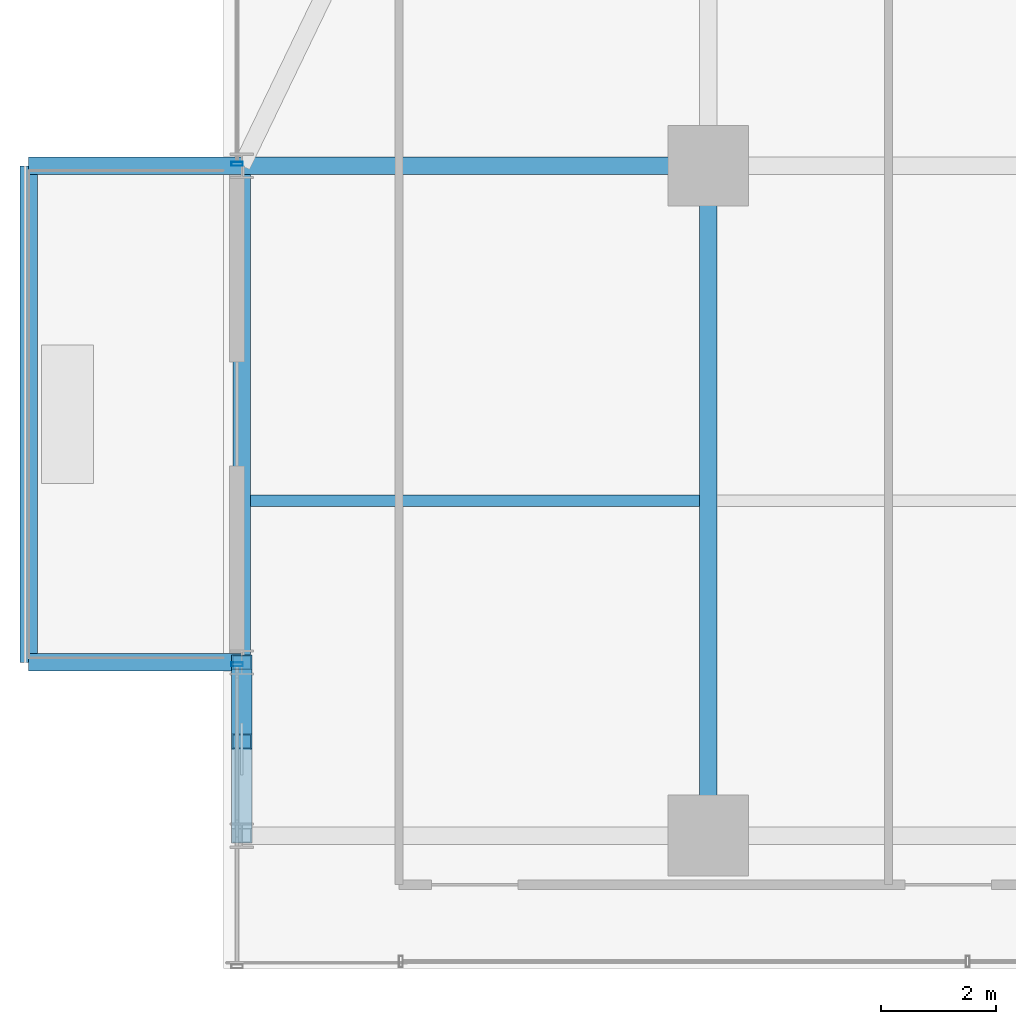
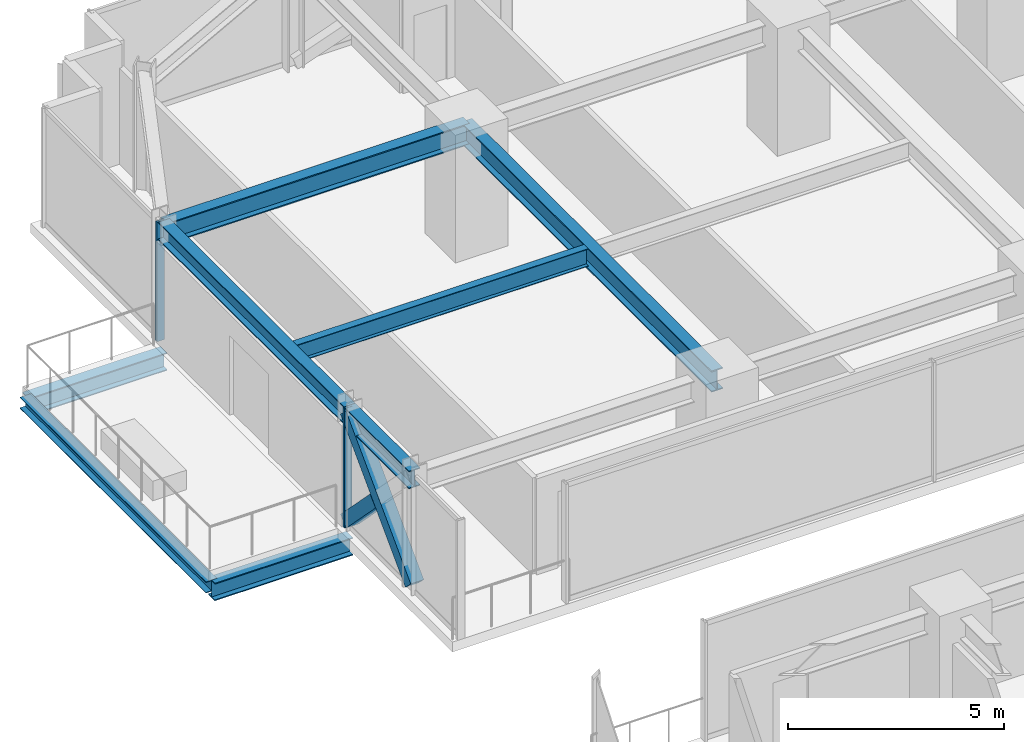
# One storey, part 21 of 43: 8 beams, 4 members, 2 elements without a shape of their own.
"""IFC4 building model written with IfcOpenShell, lengths in metres."""

import ifcopenshell
import ifcopenshell.guid

model = None  # the IFC model being written
_history = None  # IfcOwnerHistory: only IFC2X3 demands one
_inside = {}  # id of a spatial element -> (the spatial element, [elements in it])
_under = {}  # id of a project, library or spatial element -> (it, [spatial elements below it])
_declared = {}  # id of a project -> (the project, [libraries it declares])
_typed = {}  # id of a type object -> (the type object, [elements of that type])
_made_of = {}  # id of a material, layer set ... -> (it, [elements and type objects made of it])


def new_model(schema):
    """Start an empty IFC model of exactly this schema.

    Asked for "IFC4X3", IfcOpenShell would pick the latest addendum, in which some entities
    have other attributes; the version numbers below select the first issue.
    IFC2X3 requires an IfcOwnerHistory on every rooted entity: one is made here for all.
    """
    global model, _history
    if schema == "IFC4X3":
        model = ifcopenshell.file(schema_version=(4, 3, 0, 0))
    else:
        model = ifcopenshell.file(schema=schema)
    _inside.clear()
    _under.clear()
    _declared.clear()
    _typed.clear()
    _made_of.clear()
    _history = None
    if model.schema == "IFC2X3":
        org = make("IfcOrganization", Name="unknown")
        user = make(
            "IfcPersonAndOrganization",
            ThePerson=make("IfcPerson", FamilyName="unknown"),
            TheOrganization=org,
        )
        app = make(
            "IfcApplication",
            ApplicationDeveloper=org,
            Version="unknown",
            ApplicationFullName="unknown",
            ApplicationIdentifier="unknown",
        )
        _history = make(
            "IfcOwnerHistory",
            OwningUser=user,
            OwningApplication=app,
            ChangeAction="ADDED",
            CreationDate=0,
        )
    return model


def make(cls, **values):
    """One entity of the class cls with the attributes given. An attribute that is None is left unset."""
    return model.create_entity(
        cls, **{name: value for name, value in values.items() if value is not None}
    )


def rooted(cls, **values):
    """An entity with a GlobalId (a new one), such as an element, a storey or a relation."""
    return make(cls, GlobalId=ifcopenshell.guid.new(), OwnerHistory=_history, **values)


def si_unit(unit_type, name, prefix=None):
    """IfcSIUnit, for example si_unit("LENGTHUNIT", "METRE", prefix="MILLI")."""
    return make("IfcSIUnit", UnitType=unit_type, Prefix=prefix, Name=name)


def assignment(units):
    """IfcUnitAssignment: the units of a project."""
    return None if units is None else make("IfcUnitAssignment", Units=units)


def point(xyz):
    """IfcCartesianPoint."""
    return None if xyz is None else make("IfcCartesianPoint", Coordinates=xyz)


def direction(xyz):
    """IfcDirection."""
    return None if xyz is None else make("IfcDirection", DirectionRatios=xyz)


def frame(location, z_axis=None, x_axis=None):
    """IfcAxis2Placement3D, a coordinate frame: its origin and axes. An axis left out is left unset."""
    return make(
        "IfcAxis2Placement3D",
        Location=point(location),
        Axis=direction(z_axis),
        RefDirection=direction(x_axis),
    )


def frame_2d(location, x_axis=None):
    """IfcAxis2Placement2D, a coordinate frame in the plane: its origin and x axis."""
    return make(
        "IfcAxis2Placement2D", Location=point(location), RefDirection=direction(x_axis)
    )


def origin():
    """The frame at (0, 0, 0) with its axes left unset."""
    return frame((0.0, 0.0, 0.0))


def origin_2d():
    """The frame at (0, 0) in the plane with its x axis left unset."""
    return frame_2d((0.0, 0.0))


def place(relative_to, where):
    """IfcLocalPlacement: puts the frame where relative to a parent placement (None: the world)."""
    return make(
        "IfcLocalPlacement", PlacementRelTo=relative_to, RelativePlacement=where
    )


def context(
    kind, dimensions, precision=None, world=None, true_north=None, identifier=None
):
    """IfcGeometricRepresentationContext, for example the 3D "Model" context."""
    return make(
        "IfcGeometricRepresentationContext",
        ContextIdentifier=identifier,
        ContextType=kind,
        CoordinateSpaceDimension=dimensions,
        Precision=precision,
        WorldCoordinateSystem=world,
        TrueNorth=true_north,
    )


def subcontext(parent, identifier, kind, view, scale=None):
    """IfcGeometricRepresentationSubContext, for example "Body" below "Model"."""
    return make(
        "IfcGeometricRepresentationSubContext",
        ContextIdentifier=identifier,
        ContextType=kind,
        ParentContext=parent,
        TargetScale=scale,
        TargetView=view,
    )


def project(units=None, contexts=None):
    """IfcProject with its units and contexts."""
    return rooted(
        "IfcProject",
        Name="project",
        RepresentationContexts=contexts,
        UnitsInContext=assignment(units),
    )


def spatial(cls, under=None, at=None, **own):
    """A site, building, storey or space (cls), placed at a placement, below another one or the project."""
    s = rooted(cls, ObjectPlacement=at, **own)
    if under is not None:
        _under.setdefault(under.id(), (under, []))[1].append(s)
    return s


def profile(cls, at=None, kind="AREA", **sizes):
    """A parametric profile (cls). Its sizes go by their IFC names, for example OverallWidth=200.0."""
    return make(cls, ProfileType=kind, Position=at, **sizes)


def hollow_rectangle(**sizes):
    """IfcRectangleHollowProfileDef."""
    return profile("IfcRectangleHollowProfileDef", **sizes)


def i_section(**sizes):
    """IfcIShapeProfileDef."""
    return profile("IfcIShapeProfileDef", **sizes)


def extrude(swept, where, along, depth):
    """IfcExtrudedAreaSolid: the profile swept, set in the frame where, extruded along a direction by depth."""
    return make(
        "IfcExtrudedAreaSolid",
        SweptArea=swept,
        Position=where,
        ExtrudedDirection=direction(along),
        Depth=depth,
    )


def shape(context_of_items, identifier, shape_type, items):
    """IfcShapeRepresentation: the items that make up one representation, for example the "Body"."""
    return make(
        "IfcShapeRepresentation",
        ContextOfItems=context_of_items,
        RepresentationIdentifier=identifier,
        RepresentationType=shape_type,
        Items=items,
    )


def source(mapping_origin, context_of_items, identifier, shape_type, items):
    """IfcRepresentationMap: a shape defined once, which mapped items show again and again."""
    return make(
        "IfcRepresentationMap",
        MappingOrigin=mapping_origin,
        MappedRepresentation=shape(context_of_items, identifier, shape_type, items),
    )


def transform(
    local_origin,
    x_axis=None,
    y_axis=None,
    z_axis=None,
    scale=None,
    scale2=None,
    scale3=None,
    uniform=True,
):
    """IfcCartesianTransformationOperator3D, or its non-uniform kind. x_axis, y_axis, z_axis: its Axis1, 2, 3."""
    if uniform:
        return make(
            "IfcCartesianTransformationOperator3D",
            Axis1=direction(x_axis),
            Axis2=direction(y_axis),
            LocalOrigin=point(local_origin),
            Scale=scale,
            Axis3=direction(z_axis),
        )
    return make(
        "IfcCartesianTransformationOperator3DnonUniform",
        Axis1=direction(x_axis),
        Axis2=direction(y_axis),
        LocalOrigin=point(local_origin),
        Scale=scale,
        Axis3=direction(z_axis),
        Scale2=scale2,
        Scale3=scale3,
    )


def mapped(mapping_source, mapping_target):
    """IfcMappedItem: shows the shape of a source again, moved by a transform."""
    return make(
        "IfcMappedItem", MappingSource=mapping_source, MappingTarget=mapping_target
    )


def material(Name=None, Category=None):
    """IfcMaterial."""
    return make("IfcMaterial", Name=Name, Category=Category)


def material_profile(
    of_material, cross_section, Name=None, Category=None, Priority=None
):
    """IfcMaterialProfile: a cross section and its material."""
    return make(
        "IfcMaterialProfile",
        Name=Name,
        Material=of_material,
        Profile=cross_section,
        Priority=Priority,
        Category=Category,
    )


def profile_set(profiles, Name=None, composite=None):
    """IfcMaterialProfileSet."""
    return make(
        "IfcMaterialProfileSet",
        Name=Name,
        MaterialProfiles=profiles,
        CompositeProfile=composite,
    )


def made_of(thing, what):
    """Note that an element or type object is made of a material, layer set ...; save() writes the relation."""
    if what is not None:
        _made_of.setdefault(what.id(), (what, []))[1].append(thing)
    return thing


def type_object(cls, material=None, **own):
    """A type object (cls), such as IfcWallType, which elements share."""
    return made_of(rooted(cls, **own), material)


def element(
    cls,
    number,
    at=None,
    inside=None,
    cuts=None,
    type_object=None,
    material=None,
    context=None,
    identifier="Body",
    shape_type=None,
    held_by="IfcProductDefinitionShape",
    body=None,
    shapes=None,
    **own,
):
    """One element of the class cls, such as IfcWall. Its Tag is "e" and its number.

    at: its placement. inside: the storey or other place that contains it. cuts: it is an
    opening in that element (IfcRelVoidsElement). A single representation is given by context,
    identifier, shape_type and body (its items); several are given by shapes. held_by: the class
    of the entity that holds the representations. save() writes the other relations.
    """
    e = rooted(cls, Tag="e%d" % number, ObjectPlacement=at, **own)
    if body is not None:
        shapes = [shape(context, identifier, shape_type, body)]
    if shapes is not None:
        e.Representation = make(held_by, Representations=shapes)
    if inside is not None:
        _inside.setdefault(inside.id(), (inside, []))[1].append(e)
    if cuts is not None:
        rooted(
            "IfcRelVoidsElement", RelatingBuildingElement=cuts, RelatedOpeningElement=e
        )
    if type_object is not None:
        _typed.setdefault(type_object.id(), (type_object, []))[1].append(e)
    return made_of(e, material)


def aggregate(whole, parts):
    """IfcRelAggregates: a whole, such as a stair, and the parts it consists of."""
    return rooted("IfcRelAggregates", RelatingObject=whole, RelatedObjects=parts)


def save(model, path):
    """Write the relations noted so far, then the file.

    IfcRelAggregates (storeys below a building ...), IfcRelContainedInSpatialStructure (elements
    in a storey), IfcRelDefinesByType, IfcRelAssociatesMaterial and IfcRelDeclares: one each for
    every whole, place, type object, material and project.
    """
    for whole, parts in _under.values():
        aggregate(whole, parts)
    for where, things in _inside.values():
        rooted(
            "IfcRelContainedInSpatialStructure",
            RelatedElements=things,
            RelatingStructure=where,
        )
    for kind, things in _typed.values():
        rooted("IfcRelDefinesByType", RelatedObjects=things, RelatingType=kind)
    for what, things in _made_of.values():
        rooted("IfcRelAssociatesMaterial", RelatedObjects=things, RelatingMaterial=what)
    for by, libraries in _declared.values():
        rooted("IfcRelDeclares", RelatingContext=by, RelatedDefinitions=libraries)
    model.write(path)


model = new_model("IFC4")

# Units and contexts
model_context = context("Model", 3, precision=1e-05, world=origin(), true_north=direction((0.0, 1.0)))
body_context = subcontext(model_context, "Body", "Model", "MODEL_VIEW")
ifc_project = project(units=[si_unit("LENGTHUNIT", "METRE"), si_unit("AREAUNIT", "SQUARE_METRE"), si_unit("VOLUMEUNIT", "CUBIC_METRE"), si_unit("PLANEANGLEUNIT", "RADIAN"), si_unit("MASSUNIT", "GRAM", prefix="KILO")], contexts=[model_context])

# Site, building, storey
site_placement = place(None, origin())
site = spatial("IfcSite", under=ifc_project, at=site_placement, CompositionType="ELEMENT")
building_placement = place(site_placement, origin())
building = spatial("IfcBuilding", under=site, at=building_placement, Name="Nahalor Promenade Grand Hotel", CompositionType="ELEMENT")
storey_placement = place(building_placement, frame((0.0, 0.0, 47.0)))
storey = spatial("IfcBuildingStorey", under=building, at=storey_placement, Name="L10", CompositionType="ELEMENT", Elevation=47.0)

# Beams
ifc_material_1 = material(Name="Steel S355JR", Category="steel")
ifc_material_profile_1 = material_profile(ifc_material_1, i_section(OverallWidth=0.3, OverallDepth=0.32, WebThickness=0.0115, FlangeThickness=0.0205, at=origin_2d()), Name="HEB 320")
ifc_profile_set_1 = profile_set([ifc_material_profile_1], Name="Steel S355JR")
beam_type_1 = type_object("IfcBeamType", Name="Beam-BalcEdge-HEB320", PredefinedType="SPANDREL", material=ifc_profile_set_1)
shared_shape_1 = source(origin(), body_context, "Body", "SweptSolid", [
    extrude(i_section(OverallWidth=0.3, OverallDepth=0.32, WebThickness=0.0115, FlangeThickness=0.0205, at=origin_2d()), origin(), (0.0, 0.0, 1.0), 8.60009765625),
])
beam_1_placement = place(storey_placement, frame((-28.77001953125, 8.39990234375, -0.43994140625), z_axis=(0.0, 1.0, 0.0), x_axis=(-1.0, 0.0, 0.0)))
element("IfcBeam", 1, at=beam_1_placement, inside=storey, type_object=beam_type_1, Name="BM-L10-BC-02-F", PredefinedType="SPANDREL", context=body_context, shape_type="MappedRepresentation", body=[
    mapped(shared_shape_1, transform((0.0, 0.0, 0.0), scale=1.0)),
])
ifc_material_profile_2 = material_profile(ifc_material_1, i_section(OverallWidth=0.3, OverallDepth=0.5, WebThickness=0.0145, FlangeThickness=0.028, at=origin_2d()), Name="HEB 500")
ifc_profile_set_2 = profile_set([ifc_material_profile_2], Name="Steel S355JR")
beam_type_2 = type_object("IfcBeamType", Name="Beam-Outrigger-HEB500", PredefinedType="BEAM", material=ifc_profile_set_2)
shared_shape_2 = source(origin(), body_context, "Body", "SweptSolid", [
    extrude(i_section(OverallWidth=0.3, OverallDepth=0.5, WebThickness=0.0145, FlangeThickness=0.028, at=origin_2d()), origin(), (0.0, 0.0, 1.0), 3.68994140625),
])
for number, where, z_axis, x_axis, name in (
    (2, (-28.77001953125, 8.39990234375, -0.530029296875), (1.0, 0.0, 0.0), (0.0, 1.0, 0.0), "BM-L10-BC-02-1"),
    (3, (-28.77001953125, 17.0, -0.530029296875), (1.0, 0.0, 0.0), (0.0, 1.0, 0.0), "BM-L10-BC-02-2"),
):
    element("IfcBeam", number, at=place(storey_placement, frame(where, z_axis=z_axis, x_axis=x_axis)), inside=storey, type_object=beam_type_2, Name=name, PredefinedType="BEAM", context=body_context, shape_type="MappedRepresentation", body=[
        mapped(shared_shape_2, transform((0.0, 0.0, 0.0), scale=1.0)),
    ])
ifc_material_profile_3 = material_profile(ifc_material_1, i_section(OverallWidth=0.3, OverallDepth=0.6, WebThickness=0.0155, FlangeThickness=0.03, at=origin_2d()), Name="HEB 600")
ifc_profile_set_3 = profile_set([ifc_material_profile_3], Name="Steel S355JR")
beam_type_3 = type_object("IfcBeamType", Name="Beam-Girder-HEB600", PredefinedType="BEAM", material=ifc_profile_set_3)
shared_shape_3 = source(origin(), body_context, "Body", "SweptSolid", [
    extrude(i_section(OverallWidth=0.3, OverallDepth=0.6, WebThickness=0.0155, FlangeThickness=0.03, at=origin_2d()), origin(), (0.0, 0.0, 1.0), 11.60009765625),
])
beam_2_placement = place(storey_placement, frame((-17.0, 5.39990234375, 3.070068359375), z_axis=(0.0, 1.0, 0.0), x_axis=(-1.0, 0.0, 0.0)))
element("IfcBeam", 4, at=beam_2_placement, inside=storey, type_object=beam_type_3, Name="BM-L10-GY-0-3", PredefinedType="BEAM", context=body_context, shape_type="MappedRepresentation", body=[
    mapped(shared_shape_3, transform((0.0, 0.0, 0.0), scale=1.0)),
])
ifc_material_profile_4 = material_profile(ifc_material_1, i_section(OverallWidth=0.3, OverallDepth=0.5, WebThickness=0.0145, FlangeThickness=0.028, at=origin_2d()), Name="HEB 500")
ifc_profile_set_4 = profile_set([ifc_material_profile_4], Name="Steel S355JR")
beam_type_4 = type_object("IfcBeamType", Name="Beam-Spandrel-HEB500", PredefinedType="SPANDREL", material=ifc_profile_set_4)
shared_shape_4 = source(origin(), body_context, "Body", "SweptSolid", [
    extrude(i_section(OverallWidth=0.3, OverallDepth=0.5, WebThickness=0.0145, FlangeThickness=0.028, at=origin_2d()), origin(), (0.0, 0.0, 1.0), 8.60009765625),
])
beam_3_placement = place(storey_placement, frame((-25.080078125, 8.39990234375, 3.1201171875), z_axis=(0.0, 1.0, 0.0), x_axis=(-1.0, 0.0, 0.0)))
element("IfcBeam", 5, at=beam_3_placement, inside=storey, type_object=beam_type_4, Name="BM-L10-SP-W-4", PredefinedType="SPANDREL", context=body_context, shape_type="MappedRepresentation", body=[
    mapped(shared_shape_4, transform((0.0, 0.0, 0.0), scale=1.0)),
])
shared_shape_5 = source(origin(), body_context, "Body", "SweptSolid", [
    extrude(i_section(OverallWidth=0.3, OverallDepth=0.5, WebThickness=0.0145, FlangeThickness=0.028, at=origin_2d()), origin(), (0.0, 0.0, 1.0), 3.0),
])
beam_4_placement = place(storey_placement, frame((-25.080078125, 5.39990234375, 3.1201171875), z_axis=(0.0, 1.0, 0.0), x_axis=(-1.0, 0.0, 0.0)))
element("IfcBeam", 6, at=beam_4_placement, inside=storey, type_object=beam_type_4, Name="BM-L10-SP-W-3", PredefinedType="SPANDREL", context=body_context, shape_type="MappedRepresentation", body=[
    mapped(shared_shape_5, transform((0.0, 0.0, 0.0), scale=1.0)),
])
shared_shape_6 = source(origin(), body_context, "Body", "SweptSolid", [
    extrude(i_section(OverallWidth=0.3, OverallDepth=0.6, WebThickness=0.0155, FlangeThickness=0.03, at=origin_2d()), origin(), (0.0, 0.0, 1.0), 8.080078125),
])
beam_5_placement = place(storey_placement, frame((-25.080078125, 17.0, 3.070068359375), z_axis=(1.0, 0.0, 0.0), x_axis=(0.0, 1.0, 0.0)))
element("IfcBeam", 7, at=beam_5_placement, inside=storey, type_object=beam_type_3, Name="BM-L10-GX-3-0", PredefinedType="BEAM", context=body_context, shape_type="MappedRepresentation", body=[
    mapped(shared_shape_6, transform((0.0, 0.0, 0.0), scale=1.0)),
])
ifc_material_profile_5 = material_profile(ifc_material_1, i_section(OverallWidth=0.2, OverallDepth=0.5, WebThickness=0.0102, FlangeThickness=0.016, at=origin_2d()), Name="IPE 500")
ifc_profile_set_5 = profile_set([ifc_material_profile_5], Name="Steel S355JR")
beam_type_5 = type_object("IfcBeamType", Name="Beam-Joist-IPE500", PredefinedType="JOIST", material=ifc_profile_set_5)
shared_shape_7 = source(origin(), body_context, "Body", "SweptSolid", [
    extrude(i_section(OverallWidth=0.2, OverallDepth=0.5, WebThickness=0.0102, FlangeThickness=0.016, at=origin_2d()), origin(), (0.0, 0.0, 1.0), 7.780029296875),
])
beam_6_placement = place(storey_placement, frame((-24.929931640625, 11.199951171875, 3.1201171875), z_axis=(1.0, 0.0, 0.0), x_axis=(0.0, 1.0, 0.0)))
element("IfcBeam", 8, at=beam_6_placement, inside=storey, type_object=beam_type_5, Name="BM-L10-JSW-1-0", PredefinedType="JOIST", context=body_context, shape_type="MappedRepresentation", body=[
    mapped(shared_shape_7, transform((0.0, 0.0, 0.0), scale=1.0)),
])

# Members
ifc_material_profile_6 = material_profile(ifc_material_1, hollow_rectangle(XDim=0.35, YDim=0.35, WallThickness=0.02, at=origin_2d()), Name="SHS 350x350x20")
ifc_profile_set_6 = profile_set([ifc_material_profile_6], Name="Steel S355JR")
member_type_1 = type_object("IfcMemberType", Name="Mem-VoidBrace-SHS350", PredefinedType="BRACE", material=ifc_profile_set_6)
shared_shape_8 = source(origin(), body_context, "Body", "SweptSolid", [
    extrude(hollow_rectangle(XDim=0.35, YDim=0.35, WallThickness=0.02, at=origin_2d()), origin(), (0.0, 0.0, 1.0), 4.29248046875),
])
member_1_placement = place(storey_placement, frame((-25.080078125, 5.39990234375, 0.14990234375), z_axis=(0.0, 0.698897904453, 0.715221447631), x_axis=(-1.0, 0.0, 0.0)))
element("IfcMember", 9, at=member_1_placement, inside=storey, type_object=member_type_1, Name="EXO-L10-VX1-W1", PredefinedType="BRACE", context=body_context, shape_type="MappedRepresentation", body=[
    mapped(shared_shape_8, transform((0.0, 0.0, 0.0), scale=1.0)),
])
shared_shape_9 = source(origin(), body_context, "Body", "SweptSolid", [
    extrude(hollow_rectangle(XDim=0.35, YDim=0.35, WallThickness=0.02, at=origin_2d()), origin(), (0.0, 0.0, 1.0), 1.959228515625),
])
member_2_placement = place(storey_placement, frame((-25.080078125, 8.39990234375, 0.14990234375), z_axis=(0.0, -0.698834435327, 0.715283462692), x_axis=(1.0, 0.0, 0.0)))
element("IfcMember", 10, at=member_2_placement, inside=storey, type_object=member_type_1, Name="EXO-L10-VX2-W1A", PredefinedType="BRACE", context=body_context, shape_type="MappedRepresentation", body=[
    mapped(shared_shape_9, transform((0.0, 0.0, 0.0), scale=1.0)),
])

# Curtain wall, member
ifc_material_2 = material(Name="Anodised Bronze Aluminium EN AW-6063 T6", Category="aluminium")
curtain_wall_type = type_object("IfcCurtainWallType", Name="CW3 Elliptical-Void Collar Unitised Curtain Wall", PredefinedType="USERDEFINED", material=ifc_material_2)
curtain_wall_1_placement = place(storey_placement, origin())
curtain_wall_1 = element("IfcCurtainWall", 11, at=curtain_wall_1_placement, inside=storey, type_object=curtain_wall_type, Name="L10 Curtain Wall CW-L10-W-2", ObjectType="UNITISED_CURTAIN_WALL", PredefinedType="USERDEFINED")
ifc_material_profile_7 = material_profile(ifc_material_2, hollow_rectangle(XDim=0.07, YDim=0.2, WallThickness=0.005, at=origin_2d()), Name="CWM 70x200x5")
ifc_profile_set_7 = profile_set([ifc_material_profile_7], Name="Anodised Bronze Aluminium EN AW-6063 T6")
member_type_2 = type_object("IfcMemberType", Name="CWM3 Void Collar Mullion 70x200", PredefinedType="MULLION", material=ifc_profile_set_7)
shared_shape_10 = source(origin(), body_context, "Body", "SweptSolid", [
    extrude(hollow_rectangle(XDim=0.07, YDim=0.2, WallThickness=0.005, at=origin_2d()), origin(), (0.0, 0.0, 1.0), 3.3701171875),
])
member_3_placement = place(storey_placement, frame((-25.159912109375, 8.364990234375, 0.0), z_axis=(0.0, 0.0, 1.0), x_axis=(0.0, 1.0, 0.0)))
member_3 = element("IfcMember", 12, at=member_3_placement, type_object=member_type_2, Name="CW-L10-W-2 Mullion 1", PredefinedType="MULLION", context=body_context, shape_type="MappedRepresentation", body=[
    mapped(shared_shape_10, transform((0.0, 0.0, 0.0), scale=1.0)),
])
aggregate(curtain_wall_1, [member_3])

curtain_wall_2_placement = place(storey_placement, origin())
curtain_wall_2 = element("IfcCurtainWall", 13, at=curtain_wall_2_placement, inside=storey, type_object=curtain_wall_type, Name="L10 Curtain Wall CW-L10-W-4", ObjectType="UNITISED_CURTAIN_WALL", PredefinedType="USERDEFINED")
member_4_placement = place(storey_placement, frame((-25.159912109375, 17.034912109375, 0.0), z_axis=(0.0, 0.0, 1.0), x_axis=(0.0, 1.0, 0.0)))
member_4 = element("IfcMember", 14, at=member_4_placement, type_object=member_type_2, Name="CW-L10-W-4 Mullion 0", PredefinedType="MULLION", context=body_context, shape_type="MappedRepresentation", body=[
    mapped(shared_shape_10, transform((0.0, 0.0, 0.0), scale=1.0)),
])
aggregate(curtain_wall_2, [member_4])

save(model, "model.ifc")
